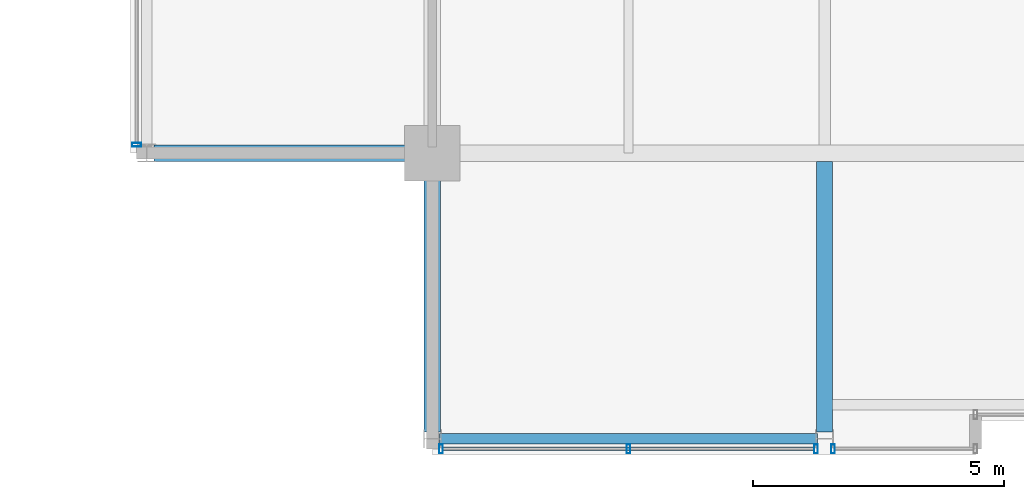
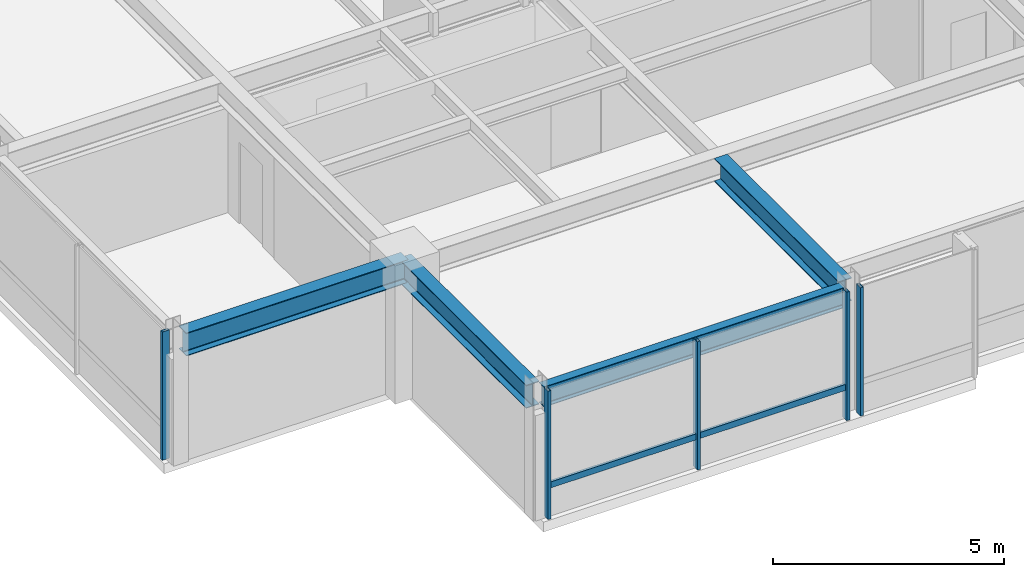
# One storey, part 4 of 33: 6 members, 4 beams, 3 elements without a shape of their own.
"""IFC4 building model written with IfcOpenShell, lengths in metres."""

from ifc_helpers import new_model, si_unit, direction, frame, origin, origin_2d, place, context, subcontext, project, spatial, hollow_rectangle, i_section, extrude, material, layer, layer_set, material_profile, profile_set, type_object, element, aggregate, save


model = new_model("IFC4")

# Units and contexts
model_context = context("Model", 3, precision=1e-05, world=origin(), true_north=direction((0.0, 1.0)))
body_context = subcontext(model_context, "Body", "Model", "MODEL_VIEW")
ifc_project = project(units=[si_unit("LENGTHUNIT", "METRE"), si_unit("AREAUNIT", "SQUARE_METRE"), si_unit("VOLUMEUNIT", "CUBIC_METRE"), si_unit("PLANEANGLEUNIT", "RADIAN"), si_unit("MASSUNIT", "GRAM", prefix="KILO")], contexts=[model_context])

# Site, building, storey
site_placement = place(None, origin())
site = spatial("IfcSite", under=ifc_project, at=site_placement, CompositionType="ELEMENT")
building_placement = place(site_placement, origin())
building = spatial("IfcBuilding", under=site, at=building_placement, Name="Drelvath Grand Hotel", CompositionType="ELEMENT")
storey_placement = place(building_placement, frame((0.0, 0.0, 279.60009765625)))
storey = spatial("IfcBuildingStorey", under=building, at=storey_placement, Name="L73", CompositionType="ELEMENT", Elevation=279.60009765625)

# Curtain wall, member
ifc_material_1 = material(Name="Platinum-Mist Anodised Aluminium Frame", Category="aluminium")
ifc_layer = layer(ifc_material_1, 0.199951171875)
ifc_layer_set = layer_set([ifc_layer], Name="Platinum-Mist Anodised Aluminium Frame")
curtain_wall_type = type_object("IfcCurtainWallType", Name="Stick Curtain Wall CW-05 Platinum Mist High-Rise", PredefinedType="NOTDEFINED", material=ifc_layer_set)
curtain_wall_1_placement = place(storey_placement, origin())
curtain_wall_1 = element("IfcCurtainWall", 1, at=curtain_wall_1_placement, inside=storey, type_object=curtain_wall_type, Name="L73 CW-05 Curtain Wall CW05-L73-SW1", PredefinedType="NOTDEFINED")
ifc_material_profile_1 = material_profile(ifc_material_1, hollow_rectangle(XDim=0.06494140625, YDim=0.159912109375, WallThickness=0.00390625, at=origin_2d()), Name="HSS160X65X4")
ifc_profile_set_1 = profile_set([ifc_material_profile_1], Name="Platinum-Mist Anodised Aluminium Frame")
member_type_1 = type_object("IfcMemberType", Name="Curtain Wall Horizontal Transom CW-05 HSS160X65X4", PredefinedType="USERDEFINED", material=ifc_profile_set_1)
member_1_placement = place(storey_placement, frame((-8.610107421875, 4.919921875, 0.847412109375), z_axis=(-1.0, 0.0, 0.0), x_axis=(0.0, -1.0, 0.0)))
member_1 = element("IfcMember", 2, at=member_1_placement, type_object=member_type_1, Name="CW05-L73-SW1 Sill Transom", ObjectType="TRANSOM", PredefinedType="USERDEFINED", context=body_context, shape_type="SweptSolid", body=[
    extrude(hollow_rectangle(XDim=0.06494140625, YDim=0.159912109375, WallThickness=0.00390625, at=origin_2d()), origin(), (0.0, 0.0, 1.0), 7.3798828125),
])

curtain_wall_2_placement = place(storey_placement, origin())
curtain_wall_2 = element("IfcCurtainWall", 3, at=curtain_wall_2_placement, inside=storey, type_object=curtain_wall_type, Name="L73 CW-05 Curtain Wall CW05-L73-WS1", PredefinedType="NOTDEFINED")
ifc_material_profile_2 = material_profile(ifc_material_1, hollow_rectangle(XDim=0.074951171875, YDim=0.179931640625, WallThickness=0.0048828125, at=origin_2d()), Name="HSS180X75X5")
ifc_profile_set_2 = profile_set([ifc_material_profile_2], Name="Platinum-Mist Anodised Aluminium Frame")
member_type_2 = type_object("IfcMemberType", Name="Curtain Wall Vertical Mullion CW-05 HSS180X75X5", PredefinedType="MULLION", material=ifc_profile_set_2)
member_2_placement = place(storey_placement, frame((-22.080078125, 10.97021484375, 0.0), z_axis=(0.0, 0.0, 1.0), x_axis=(0.0, 1.0, 0.0)))
member_2 = element("IfcMember", 4, at=member_2_placement, type_object=member_type_2, Name="CW05-L73-WS1 Mullion 1", PredefinedType="MULLION", context=body_context, shape_type="SweptSolid", body=[
    extrude(hollow_rectangle(XDim=0.074951171875, YDim=0.179931640625, WallThickness=0.0048828125, at=origin_2d()), origin(), (0.0, 0.0, 1.0), 3.389892578125),
])
aggregate(curtain_wall_2, [member_2])

# Member
member_3_placement = place(storey_placement, frame((-8.570068359375, 4.919921875, 0.0), z_axis=(0.0, 0.0, 1.0), x_axis=(1.0, 0.0, 0.0)))
member_3 = element("IfcMember", 5, at=member_3_placement, type_object=member_type_2, Name="CW05-L73-SW1 Mullion 1", PredefinedType="MULLION", context=body_context, shape_type="SweptSolid", body=[
    extrude(hollow_rectangle(XDim=0.074951171875, YDim=0.179931640625, WallThickness=0.0048828125, at=origin_2d()), origin(), (0.0, 0.0, 1.0), 3.389892578125),
])

member_4_placement = place(storey_placement, frame((-12.300048828125, 4.919921875, 0.0), z_axis=(0.0, 0.0, 1.0), x_axis=(1.0, 0.0, 0.0)))
member_4 = element("IfcMember", 6, at=member_4_placement, type_object=member_type_2, Name="CW05-L73-SW1 Mullion 2", PredefinedType="MULLION", context=body_context, shape_type="SweptSolid", body=[
    extrude(hollow_rectangle(XDim=0.074951171875, YDim=0.179931640625, WallThickness=0.0048828125, at=origin_2d()), origin(), (0.0, 0.0, 1.0), 3.389892578125),
])

member_5_placement = place(storey_placement, frame((-16.02978515625, 4.919921875, 0.0), z_axis=(0.0, 0.0, 1.0), x_axis=(1.0, 0.0, 0.0)))
member_5 = element("IfcMember", 7, at=member_5_placement, type_object=member_type_2, Name="CW05-L73-SW1 Mullion 3", PredefinedType="MULLION", context=body_context, shape_type="SweptSolid", body=[
    extrude(hollow_rectangle(XDim=0.074951171875, YDim=0.179931640625, WallThickness=0.0048828125, at=origin_2d()), origin(), (0.0, 0.0, 1.0), 3.389892578125),
])

aggregate(curtain_wall_1, [member_3, member_4, member_5, member_1])

# Curtain wall, member
curtain_wall_3_placement = place(storey_placement, origin())
curtain_wall_3 = element("IfcCurtainWall", 8, at=curtain_wall_3_placement, inside=storey, type_object=curtain_wall_type, Name="L73 CW-05 Curtain Wall CW05-L73-SW2", PredefinedType="NOTDEFINED")
member_6_placement = place(storey_placement, frame((-8.22998046875, 4.919921875, 0.0), z_axis=(0.0, 0.0, 1.0), x_axis=(1.0, 0.0, 0.0)))
member_6 = element("IfcMember", 9, at=member_6_placement, type_object=member_type_2, Name="CW05-L73-SW2 Mullion 2", PredefinedType="MULLION", context=body_context, shape_type="SweptSolid", body=[
    extrude(hollow_rectangle(XDim=0.074951171875, YDim=0.179931640625, WallThickness=0.0048828125, at=origin_2d()), origin(), (0.0, 0.0, 1.0), 3.389892578125),
])
aggregate(curtain_wall_3, [member_6])

# Beams
ifc_material_2 = material(Name="Steel ASTM A992 Gr 50", Category="steel")
ifc_material_profile_3 = material_profile(ifc_material_2, i_section(OverallWidth=0.210205078125, OverallDepth=0.53662109375, WebThickness=0.010986328125, FlangeThickness=0.017333984375, FilletRadius=0.01806640625, at=origin_2d()), Name="W21X68")
ifc_profile_set_3 = profile_set([ifc_material_profile_3], Name="Steel ASTM A992 Gr 50")
beam_type_1 = type_object("IfcBeamType", Name="Perimeter Spandrel Beam W21X68", PredefinedType="SPANDREL", material=ifc_profile_set_3)
beam_1_placement = place(storey_placement, frame((-16.06005859375, 5.1201171875, 3.12158203125), z_axis=(1.0, 0.0, 0.0), x_axis=(0.0, 1.0, 0.0)))
element("IfcBeam", 10, at=beam_1_placement, inside=storey, type_object=beam_type_1, Name="L73 Spandrel South W", PredefinedType="SPANDREL", context=body_context, shape_type="SweptSolid", body=[
    extrude(i_section(OverallWidth=0.210205078125, OverallDepth=0.53662109375, WebThickness=0.010986328125, FlangeThickness=0.017333984375, FilletRadius=0.01806640625, at=origin_2d()), origin(), (0.0, 0.0, 1.0), 7.52001953125),
])
ifc_material_profile_4 = material_profile(ifc_material_2, i_section(OverallWidth=0.323974609375, OverallDepth=0.611083984375, WebThickness=0.0126953125, FlangeThickness=0.01904296875, FilletRadius=0.02197265625, at=origin_2d()), Name="W24X104")
ifc_profile_set_4 = profile_set([ifc_material_profile_4], Name="Steel ASTM A992 Gr 50")
beam_type_2 = type_object("IfcBeamType", Name="Primary Floor Girder W24X104", PredefinedType="BEAM", material=ifc_profile_set_4)
for number, where, z_axis, x_axis, name in (
    (11, (-21.739990234375, 10.800048828125, 3.08447265625), (1.0, 0.0, 0.0), (0.0, 1.0, 0.0), "L73 West Grid Girder C"),
    (12, (-16.199951171875, 5.260009765625, 3.08447265625), (0.0, 1.0, 0.0), (-1.0, 0.0, 0.0), "L73 South Grid Girder 3"),
):
    element("IfcBeam", number, at=place(storey_placement, frame(where, z_axis=z_axis, x_axis=x_axis)), inside=storey, type_object=beam_type_2, Name=name, PredefinedType="BEAM", context=body_context, shape_type="SweptSolid", body=[
        extrude(i_section(OverallWidth=0.323974609375, OverallDepth=0.611083984375, WebThickness=0.0126953125, FlangeThickness=0.01904296875, FilletRadius=0.02197265625, at=origin_2d()), origin(), (0.0, 0.0, 1.0), 5.5400390625),
    ])
beam_2_placement = place(storey_placement, frame((-8.39990234375, 5.260009765625, 3.08447265625), z_axis=(0.0, 1.0, 0.0), x_axis=(-1.0, 0.0, 0.0)))
element("IfcBeam", 13, at=beam_2_placement, inside=storey, type_object=beam_type_2, Name="L73 South Wing Girder 4", PredefinedType="BEAM", context=body_context, shape_type="SweptSolid", body=[
    extrude(i_section(OverallWidth=0.323974609375, OverallDepth=0.611083984375, WebThickness=0.0126953125, FlangeThickness=0.01904296875, FilletRadius=0.02197265625, at=origin_2d()), origin(), (0.0, 0.0, 1.0), 5.3779296875),
])

save(model, "model.ifc")
